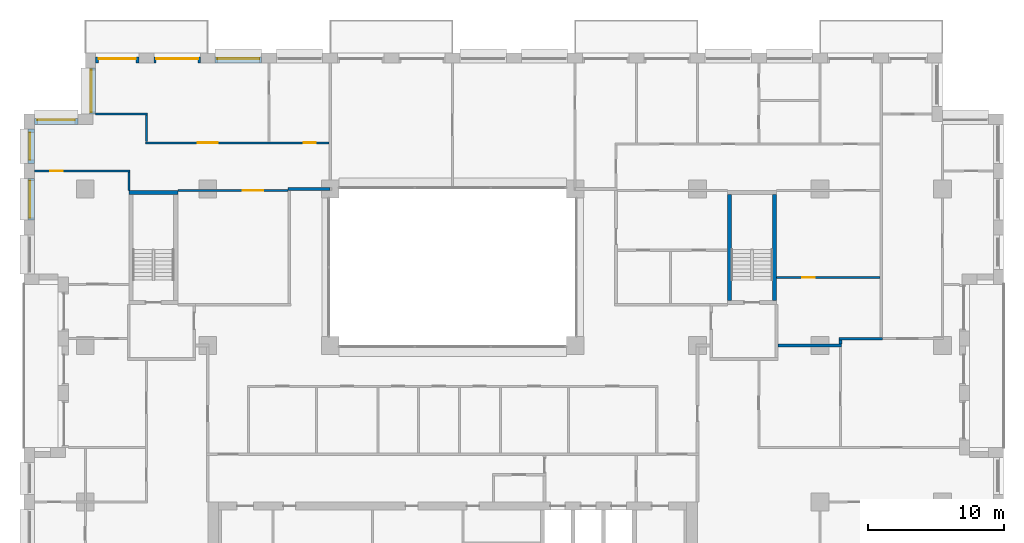
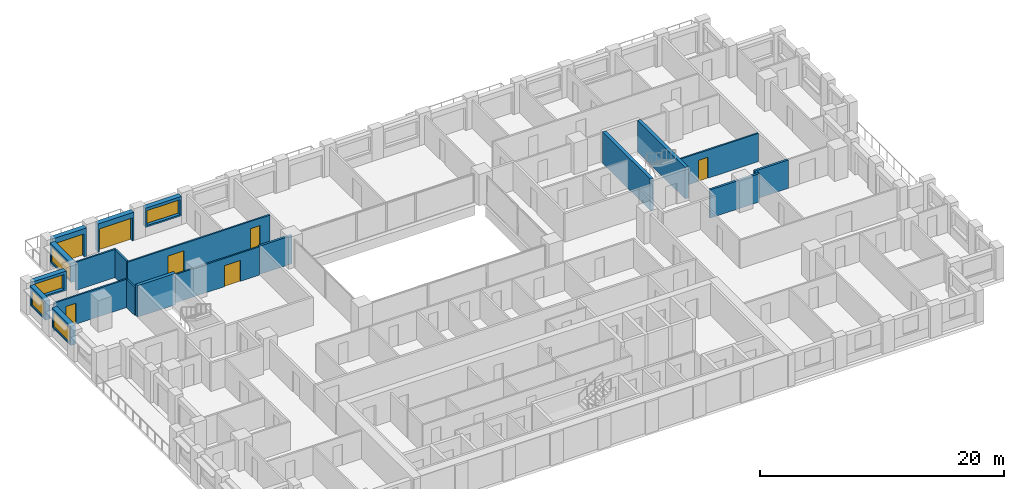
# One storey, part 12 of 16: 21 walls, 7 doors, 5 windows, 12 openings.
"""IFC4 building model written with IfcOpenShell, lengths in metres."""

from ifc_helpers import new_model, si_unit, direction, frame, frame_2d, origin, place, context, subcontext, project, spatial, rectangle, extrude, material, layer, layer_set, type_object, element, fill, save


model = new_model("IFC4")

# Units and contexts
model_context = context("Model", 3, precision=1e-05, world=origin(), true_north=direction((0.0, 1.0)))
body_context = subcontext(model_context, "Body", "Model", "MODEL_VIEW")
ifc_project = project(units=[si_unit("LENGTHUNIT", "METRE"), si_unit("AREAUNIT", "SQUARE_METRE"), si_unit("VOLUMEUNIT", "CUBIC_METRE"), si_unit("PLANEANGLEUNIT", "RADIAN"), si_unit("MASSUNIT", "GRAM", prefix="KILO")], contexts=[model_context])

# Site, building, storey
site_placement = place(None, origin())
site = spatial("IfcSite", under=ifc_project, at=site_placement, CompositionType="ELEMENT")
building_placement = place(site_placement, origin())
building = spatial("IfcBuilding", under=site, at=building_placement, Name="Brigalow Station Residences", CompositionType="ELEMENT")
storey_placement = place(building_placement, frame((0.0, 0.0, 108.75)))
storey = spatial("IfcBuildingStorey", under=building, at=storey_placement, Name="L31", CompositionType="ELEMENT", Elevation=108.75)

# Wall, opening, window
ifc_material_1 = material(Name="Clay brick masonry", Category="masonry")
ifc_layer_1 = layer(ifc_material_1, 0.449951171875)
ifc_layer_set_1 = layer_set([ifc_layer_1], Name="BRICK INFILL WALL 450")
wall_type_1 = type_object("IfcWallType", Name="BRICK INFILL WALL 450", PredefinedType="SOLIDWALL", material=ifc_layer_set_1)
wall_1_placement = place(storey_placement, frame((21.949951171875, 44.97509765625, 0.89990234375), z_axis=(0.0, 0.0, 1.0), x_axis=(-1.0, 0.0, 0.0)))
wall_1 = element("IfcWall", 1, at=wall_1_placement, inside=storey, type_object=wall_type_1, Name="L31/ewall/W-L31-34", PredefinedType="SOLIDWALL", context=body_context, shape_type="SweptSolid", body=[
    extrude(rectangle(XDim=3.39990234375, YDim=0.449951171875, at=frame_2d((1.699951171875, 0.0))), origin(), (0.0, 0.0, 1.0), 1.93017578125),
])
opening_1_placement = place(wall_1_placement, frame((0.14990234375, 0.0, 0.14990234375)))
opening_1 = element("IfcOpeningElement", 2, at=opening_1_placement, cuts=wall_1, Name="Opening WT-8", PredefinedType="OPENING", context=body_context, shape_type="SweptSolid", body=[
    extrude(rectangle(XDim=3.10009765625, YDim=1.5, at=frame_2d((1.550048828125, 0.75))), frame((0.0, 0.23486328125, 0.0), z_axis=(0.0, -1.0, 0.0), x_axis=(1.0, 0.0, 0.0)), (0.0, 0.0, 1.0), 0.469970703125),
])
ifc_material_2 = material(Name="Anodised aluminium frame with double glazing", Category="aluminium")
window_type_1 = type_object("IfcWindowType", Name="WINDOW 3100x1500", PartitioningType="SINGLE_PANEL", PredefinedType="WINDOW", material=ifc_material_2)
window_1_placement = place(opening_1_placement, origin())
window_1 = element("IfcWindow", 3, at=window_1_placement, inside=storey, type_object=window_type_1, Name="L31/window/W-L31-34", OverallHeight=1.5, OverallWidth=3.10009765625, PartitioningType="SINGLE_PANEL", PredefinedType="WINDOW", context=body_context, shape_type="SweptSolid", body=[
    extrude(rectangle(XDim=3.10009765625, YDim=1.5, at=frame_2d((1.550048828125, 0.75))), frame((0.0, -0.06494140625, 0.0), z_axis=(0.0, -1.0, 0.0), x_axis=(1.0, 0.0, 0.0)), (0.0, 0.0, 1.0), 0.06005859375),
])
fill(opening_1, window_1)

# Wall, opening, door
wall_2_placement = place(storey_placement, frame((17.449951171875, 44.97509765625, 0.0), z_axis=(0.0, 0.0, 1.0), x_axis=(-1.0, 0.0, 0.0)))
wall_2 = element("IfcWall", 4, at=wall_2_placement, inside=storey, type_object=wall_type_1, Name="L31/ewall/W-L31-35", PredefinedType="SOLIDWALL", context=body_context, shape_type="SweptSolid", body=[
    extrude(rectangle(XDim=3.39990234375, YDim=0.449951171875, at=frame_2d((1.699951171875, 0.0))), origin(), (0.0, 0.0, 1.0), 2.830078125),
])
opening_2_placement = place(wall_2_placement, frame((0.14990234375, 0.0, 0.0)))
opening_2 = element("IfcOpeningElement", 5, at=opening_2_placement, cuts=wall_2, Name="Opening D-B3100", PredefinedType="OPENING", context=body_context, shape_type="SweptSolid", body=[
    extrude(rectangle(XDim=3.10009765625, YDim=2.300048828125, at=frame_2d((1.550048828125, 1.14990234375))), frame((0.0, 0.23486328125, 0.0), z_axis=(0.0, -1.0, 0.0), x_axis=(1.0, 0.0, 0.0)), (0.0, 0.0, 1.0), 0.469970703125),
])
ifc_material_3 = material(Name="Anodised aluminium frame with double glazing", Category="aluminium")
door_type_1 = type_object("IfcDoorType", Name="BALCONY SLIDING DOOR 3100x2300", OperationType="SLIDING_TO_LEFT", PredefinedType="DOOR", material=ifc_material_3)
door_1_placement = place(opening_2_placement, origin())
door_1 = element("IfcDoor", 6, at=door_1_placement, inside=storey, type_object=door_type_1, Name="L31/balcony-door/W-L31-35", OperationType="SLIDING_TO_LEFT", OverallHeight=2.300048828125, OverallWidth=3.10009765625, PredefinedType="DOOR", context=body_context, shape_type="SweptSolid", body=[
    extrude(rectangle(XDim=3.10009765625, YDim=2.300048828125, at=frame_2d((1.550048828125, 1.14990234375))), frame((0.0, -0.06982421875, 0.0), z_axis=(0.0, -1.0, 0.0), x_axis=(1.0, 0.0, 0.0)), (0.0, 0.0, 1.0), 0.050048828125),
])
fill(opening_2, door_1)

wall_3_placement = place(storey_placement, frame((12.949951171875, 44.97509765625, 0.0), z_axis=(0.0, 0.0, 1.0), x_axis=(-1.0, 0.0, 0.0)))
wall_3 = element("IfcWall", 7, at=wall_3_placement, inside=storey, type_object=wall_type_1, Name="L31/ewall/W-L31-36", PredefinedType="SOLIDWALL", context=body_context, shape_type="SweptSolid", body=[
    extrude(rectangle(XDim=3.199951171875, YDim=0.449951171875, at=frame_2d((1.60009765625, 0.0))), origin(), (0.0, 0.0, 1.0), 2.830078125),
])
opening_3_placement = place(wall_3_placement, frame((0.22509765625, 0.0, 0.0)))
opening_3 = element("IfcOpeningElement", 8, at=opening_3_placement, cuts=wall_3, Name="Opening D-B2750", PredefinedType="OPENING", context=body_context, shape_type="SweptSolid", body=[
    extrude(rectangle(XDim=2.75, YDim=2.300048828125, at=frame_2d((1.375, 1.14990234375))), frame((0.0, 0.23486328125, 0.0), z_axis=(0.0, -1.0, 0.0), x_axis=(1.0, 0.0, 0.0)), (0.0, 0.0, 1.0), 0.469970703125),
])
ifc_material_4 = material(Name="Anodised aluminium frame with double glazing", Category="aluminium")
door_type_2 = type_object("IfcDoorType", Name="BALCONY SLIDING DOOR 2750x2300", OperationType="SLIDING_TO_LEFT", PredefinedType="DOOR", material=ifc_material_4)
door_2_placement = place(opening_3_placement, origin())
door_2 = element("IfcDoor", 9, at=door_2_placement, inside=storey, type_object=door_type_2, Name="L31/balcony-door/W-L31-36", OperationType="SLIDING_TO_LEFT", OverallHeight=2.300048828125, OverallWidth=2.75, PredefinedType="DOOR", context=body_context, shape_type="SweptSolid", body=[
    extrude(rectangle(XDim=2.75, YDim=2.300048828125, at=frame_2d((1.375, 1.14990234375))), frame((0.0, -0.06982421875, 0.0), z_axis=(0.0, -1.0, 0.0), x_axis=(1.0, 0.0, 0.0)), (0.0, 0.0, 1.0), 0.050048828125),
])
fill(opening_3, door_2)

# Wall, opening, window
wall_4_placement = place(storey_placement, frame((9.52490234375, 44.39990234375, 0.89990234375), z_axis=(0.0, 0.0, 1.0), x_axis=(0.0, -1.0, 0.0)))
wall_4 = element("IfcWall", 10, at=wall_4_placement, inside=storey, type_object=wall_type_1, Name="L31/ewall/W-L31-37", PredefinedType="SOLIDWALL", context=body_context, shape_type="SweptSolid", body=[
    extrude(rectangle(XDim=3.39990234375, YDim=0.449951171875, at=frame_2d((1.699951171875, 0.0))), origin(), (0.0, 0.0, 1.0), 1.93017578125),
])
opening_4_placement = place(wall_4_placement, frame((0.14990234375, 0.0, 0.14990234375)))
opening_4 = element("IfcOpeningElement", 11, at=opening_4_placement, cuts=wall_4, Name="Opening WT-8", PredefinedType="OPENING", context=body_context, shape_type="SweptSolid", body=[
    extrude(rectangle(XDim=3.10009765625, YDim=1.5, at=frame_2d((1.550048828125, 0.75))), frame((0.0, 0.23486328125, 0.0), z_axis=(0.0, -1.0, 0.0), x_axis=(1.0, 0.0, 0.0)), (0.0, 0.0, 1.0), 0.469970703125),
])
window_2_placement = place(opening_4_placement, origin())
window_2 = element("IfcWindow", 12, at=window_2_placement, inside=storey, type_object=window_type_1, Name="L31/window/W-L31-37", OverallHeight=1.5, OverallWidth=3.10009765625, PartitioningType="SINGLE_PANEL", PredefinedType="WINDOW", context=body_context, shape_type="SweptSolid", body=[
    extrude(rectangle(XDim=3.10009765625, YDim=1.5, at=frame_2d((1.550048828125, 0.75))), frame((0.0, -0.06494140625, 0.0), z_axis=(0.0, -1.0, 0.0), x_axis=(1.0, 0.0, 0.0)), (0.0, 0.0, 1.0), 0.06005859375),
])
fill(opening_4, window_2)

wall_5_placement = place(storey_placement, frame((8.449951171875, 40.47509765625, 0.89990234375), z_axis=(0.0, 0.0, 1.0), x_axis=(-1.0, 0.0, 0.0)))
wall_5 = element("IfcWall", 13, at=wall_5_placement, inside=storey, type_object=wall_type_1, Name="L31/ewall/W-L31-38", PredefinedType="SOLIDWALL", context=body_context, shape_type="SweptSolid", body=[
    extrude(rectangle(XDim=3.199951171875, YDim=0.449951171875, at=frame_2d((1.60009765625, 0.0))), origin(), (0.0, 0.0, 1.0), 1.93017578125),
])
opening_5_placement = place(wall_5_placement, frame((0.22509765625, 0.0, 0.14990234375)))
opening_5 = element("IfcOpeningElement", 14, at=opening_5_placement, cuts=wall_5, Name="Opening WT-3", PredefinedType="OPENING", context=body_context, shape_type="SweptSolid", body=[
    extrude(rectangle(XDim=2.75, YDim=1.5, at=frame_2d((1.375, 0.75))), frame((0.0, 0.23486328125, 0.0), z_axis=(0.0, -1.0, 0.0), x_axis=(1.0, 0.0, 0.0)), (0.0, 0.0, 1.0), 0.469970703125),
])
ifc_material_5 = material(Name="Anodised aluminium frame with double glazing", Category="aluminium")
window_type_2 = type_object("IfcWindowType", Name="WINDOW 2750x1500", PartitioningType="SINGLE_PANEL", PredefinedType="WINDOW", material=ifc_material_5)
window_3_placement = place(opening_5_placement, origin())
window_3 = element("IfcWindow", 15, at=window_3_placement, inside=storey, type_object=window_type_2, Name="L31/window/W-L31-38", OverallHeight=1.5, OverallWidth=2.75, PartitioningType="SINGLE_PANEL", PredefinedType="WINDOW", context=body_context, shape_type="SweptSolid", body=[
    extrude(rectangle(XDim=2.75, YDim=1.5, at=frame_2d((1.375, 0.75))), frame((0.0, -0.06494140625, 0.0), z_axis=(0.0, -1.0, 0.0), x_axis=(1.0, 0.0, 0.0)), (0.0, 0.0, 1.0), 0.06005859375),
])
fill(opening_5, window_3)

wall_6_placement = place(storey_placement, frame((5.02490234375, 39.89990234375, 0.89990234375), z_axis=(0.0, 0.0, 1.0), x_axis=(0.0, -1.0, 0.0)))
wall_6 = element("IfcWall", 16, at=wall_6_placement, inside=storey, type_object=wall_type_1, Name="L31/ewall/W-L31-39", PredefinedType="SOLIDWALL", context=body_context, shape_type="SweptSolid", body=[
    extrude(rectangle(XDim=2.516845703125, YDim=0.449951171875, at=frame_2d((1.25830078125, 0.0))), origin(), (0.0, 0.0, 1.0), 1.93017578125),
])
opening_6_placement = place(wall_6_placement, frame((0.258544921875, 0.0, 0.14990234375)))
opening_6 = element("IfcOpeningElement", 17, at=opening_6_placement, cuts=wall_6, Name="Opening WT-7", PredefinedType="OPENING", context=body_context, shape_type="SweptSolid", body=[
    extrude(rectangle(XDim=2.0, YDim=1.5, at=frame_2d((1.0, 0.75))), frame((0.0, 0.23486328125, 0.0), z_axis=(0.0, -1.0, 0.0), x_axis=(1.0, 0.0, 0.0)), (0.0, 0.0, 1.0), 0.469970703125),
])
ifc_material_6 = material(Name="Anodised aluminium frame with double glazing", Category="aluminium")
window_type_3 = type_object("IfcWindowType", Name="WINDOW 2000x1500", PartitioningType="SINGLE_PANEL", PredefinedType="WINDOW", material=ifc_material_6)
window_4_placement = place(opening_6_placement, origin())
window_4 = element("IfcWindow", 18, at=window_4_placement, inside=storey, type_object=window_type_3, Name="L31/window/W-L31-39", OverallHeight=1.5, OverallWidth=2.0, PartitioningType="SINGLE_PANEL", PredefinedType="WINDOW", context=body_context, shape_type="SweptSolid", body=[
    extrude(rectangle(XDim=2.0, YDim=1.5, at=frame_2d((1.0, 0.75))), frame((0.0, -0.06494140625, 0.0), z_axis=(0.0, -1.0, 0.0), x_axis=(1.0, 0.0, 0.0)), (0.0, 0.0, 1.0), 0.06005859375),
])
fill(opening_6, window_4)

wall_7_placement = place(storey_placement, frame((5.02490234375, 36.282958984375, 0.89990234375), z_axis=(0.0, 0.0, 1.0), x_axis=(0.0, -1.0, 0.0)))
wall_7 = element("IfcWall", 19, at=wall_7_placement, inside=storey, type_object=wall_type_1, Name="L31/ewall/W-L31-40", PredefinedType="SOLIDWALL", context=body_context, shape_type="SweptSolid", body=[
    extrude(rectangle(XDim=3.06591796875, YDim=0.449951171875, at=frame_2d((1.532958984375, 0.0))), origin(), (0.0, 0.0, 1.0), 1.93017578125),
])
opening_7_placement = place(wall_7_placement, frame((0.157958984375, 0.0, 0.14990234375)))
opening_7 = element("IfcOpeningElement", 20, at=opening_7_placement, cuts=wall_7, Name="Opening WT-3", PredefinedType="OPENING", context=body_context, shape_type="SweptSolid", body=[
    extrude(rectangle(XDim=2.75, YDim=1.5, at=frame_2d((1.375, 0.75))), frame((0.0, 0.23486328125, 0.0), z_axis=(0.0, -1.0, 0.0), x_axis=(1.0, 0.0, 0.0)), (0.0, 0.0, 1.0), 0.469970703125),
])
window_5_placement = place(opening_7_placement, origin())
window_5 = element("IfcWindow", 21, at=window_5_placement, inside=storey, type_object=window_type_2, Name="L31/window/W-L31-40", OverallHeight=1.5, OverallWidth=2.75, PartitioningType="SINGLE_PANEL", PredefinedType="WINDOW", context=body_context, shape_type="SweptSolid", body=[
    extrude(rectangle(XDim=2.75, YDim=1.5, at=frame_2d((1.375, 0.75))), frame((0.0, -0.06494140625, 0.0), z_axis=(0.0, -1.0, 0.0), x_axis=(1.0, 0.0, 0.0)), (0.0, 0.0, 1.0), 0.06005859375),
])
fill(opening_7, window_5)

# Walls
ifc_material_7 = material(Name="Concrete C65", Category="concrete")
ifc_layer_2 = layer(ifc_material_7, 0.300048828125)
ifc_layer_set_2 = layer_set([ifc_layer_2], Name="CORE SHEAR WALL 300 C65")
wall_type_2 = type_object("IfcWallType", Name="CORE SHEAR WALL 300 C65", PredefinedType="SHEAR", material=ifc_layer_set_2)
wall_8_placement = place(storey_placement, frame((12.199951171875, 35.25, 0.0), z_axis=(0.0, 0.0, 1.0), x_axis=(1.0, 0.0, 0.0)))
element("IfcWall", 22, at=wall_8_placement, inside=storey, type_object=wall_type_2, Name="CORE WALL ST-S1-N L31", PredefinedType="SHEAR", context=body_context, shape_type="SweptSolid", body=[
    extrude(rectangle(XDim=3.60009765625, YDim=0.300048828125, at=frame_2d((1.800048828125, 0.0))), origin(), (0.0, 0.0, 1.0), 3.14990234375),
])
for number, where, z_axis, x_axis, name in (
    (23, (56.35009765625, 27.300048828125, 0.0), (0.0, 0.0, 1.0), (0.0, 1.0, 0.0), "CORE WALL ST-S3-W L31"),
    (24, (59.64990234375, 27.300048828125, 0.0), (0.0, 0.0, 1.0), (0.0, 1.0, 0.0), "CORE WALL ST-S3-E L31"),
):
    element("IfcWall", number, at=place(storey_placement, frame(where, z_axis=z_axis, x_axis=x_axis)), inside=storey, type_object=wall_type_2, Name=name, PredefinedType="SHEAR", context=body_context, shape_type="SweptSolid", body=[
        extrude(rectangle(XDim=7.800048828125, YDim=0.300048828125, at=frame_2d((3.89990234375, 0.0))), origin(), (0.0, 0.0, 1.0), 3.14990234375),
    ])

# Wall, opening, door
ifc_material_8 = material(Name="Plasterboard on steel stud partition", Category="steel")
ifc_layer_3 = layer(ifc_material_8, 0.14990234375)
ifc_layer_set_3 = layer_set([ifc_layer_3], Name="FLAT PARTITION 150")
wall_type_3 = type_object("IfcWallType", Name="FLAT PARTITION 150", PredefinedType="PARTITIONING", material=ifc_layer_set_3)
wall_9_placement = place(storey_placement, frame((5.25, 36.8330078125, 0.0), z_axis=(0.0, 0.0, 1.0), x_axis=(1.0, 0.0, 0.0)))
wall_9 = element("IfcWall", 25, at=wall_9_placement, inside=storey, type_object=wall_type_3, Name="PW-2C22", PredefinedType="PARTITIONING", context=body_context, shape_type="SweptSolid", body=[
    extrude(rectangle(XDim=7.02490234375, YDim=0.14990234375, at=frame_2d((3.512451171875, 0.0))), origin(), (0.0, 0.0, 1.0), 2.830078125),
])
opening_8_placement = place(wall_9_placement, frame((1.175048828125, 0.0, 0.0)))
opening_8 = element("IfcOpeningElement", 26, at=opening_8_placement, cuts=wall_9, Name="Opening D-2C12", PredefinedType="OPENING", context=body_context, shape_type="SweptSolid", body=[
    extrude(rectangle(XDim=0.89990234375, YDim=2.10009765625, at=frame_2d((0.449951171875, 1.050048828125))), frame((0.0, 0.0849609375, 0.0), z_axis=(0.0, -1.0, 0.0), x_axis=(1.0, 0.0, 0.0)), (0.0, 0.0, 1.0), 0.169921875),
])
ifc_material_9 = material(Name="Solid-core timber door leaf", Category="wood")
door_type_3 = type_object("IfcDoorType", Name="INTERNAL DOOR 900 x 2100", OperationType="SINGLE_SWING_LEFT", PredefinedType="DOOR", material=ifc_material_9)
door_3_placement = place(opening_8_placement, frame((0.89990234375, 0.0, 0.0), z_axis=(0.0, 0.0, 1.0), x_axis=(-1.0, 0.0, 0.0)))
door_3 = element("IfcDoor", 27, at=door_3_placement, inside=storey, type_object=door_type_3, Name="D-2C12", OperationType="SINGLE_SWING_RIGHT", OverallHeight=2.10009765625, OverallWidth=0.89990234375, PredefinedType="DOOR", context=body_context, shape_type="SweptSolid", body=[
    extrude(rectangle(XDim=0.89990234375, YDim=2.10009765625, at=frame_2d((0.449951171875, 1.050048828125))), frame((0.0, 0.02490234375, 0.0), z_axis=(0.0, -1.0, 0.0), x_axis=(1.0, 0.0, 0.0)), (0.0, 0.0, 1.0), 0.050048828125),
])
fill(opening_8, door_3)

# Wall, openings, doors
wall_10_placement = place(storey_placement, frame((13.425048828125, 38.89990234375, 0.0), z_axis=(0.0, 0.0, 1.0), x_axis=(1.0, 0.0, 0.0)))
wall_10 = element("IfcWall", 28, at=wall_10_placement, inside=storey, type_object=wall_type_3, Name="PW-2C24", PredefinedType="PARTITIONING", context=body_context, shape_type="SweptSolid", body=[
    extrude(rectangle(XDim=13.474853515625, YDim=0.14990234375, at=frame_2d((6.7373046875, 0.0))), origin(), (0.0, 0.0, 1.0), 2.830078125),
])
opening_9_placement = place(wall_10_placement, frame((3.824951171875, 0.0, 0.0)))
opening_9 = element("IfcOpeningElement", 29, at=opening_9_placement, cuts=wall_10, Name="Opening D-2C13", PredefinedType="OPENING", context=body_context, shape_type="SweptSolid", body=[
    extrude(rectangle(XDim=1.5, YDim=2.10009765625, at=frame_2d((0.75, 1.050048828125))), frame((0.0, 0.0849609375, 0.0), z_axis=(0.0, -1.0, 0.0), x_axis=(1.0, 0.0, 0.0)), (0.0, 0.0, 1.0), 0.169921875),
])
opening_10_placement = place(wall_10_placement, frame((11.625, 0.0, 0.0)))
opening_10 = element("IfcOpeningElement", 30, at=opening_10_placement, cuts=wall_10, Name="Opening D-2C15", PredefinedType="OPENING", context=body_context, shape_type="SweptSolid", body=[
    extrude(rectangle(XDim=0.89990234375, YDim=2.10009765625, at=frame_2d((0.449951171875, 1.050048828125))), frame((0.0, 0.0849609375, 0.0), z_axis=(0.0, -1.0, 0.0), x_axis=(1.0, 0.0, 0.0)), (0.0, 0.0, 1.0), 0.169921875),
])
door_4_placement = place(opening_10_placement, origin())
door_4 = element("IfcDoor", 31, at=door_4_placement, inside=storey, type_object=door_type_3, Name="D-2C15", OperationType="SINGLE_SWING_RIGHT", OverallHeight=2.10009765625, OverallWidth=0.89990234375, PredefinedType="DOOR", context=body_context, shape_type="SweptSolid", body=[
    extrude(rectangle(XDim=0.89990234375, YDim=2.10009765625, at=frame_2d((0.449951171875, 1.050048828125))), frame((0.0, 0.02490234375, 0.0), z_axis=(0.0, -1.0, 0.0), x_axis=(1.0, 0.0, 0.0)), (0.0, 0.0, 1.0), 0.050048828125),
])
fill(opening_10, door_4)
ifc_material_10 = material(Name="Solid-core timber door leaf", Category="wood")
door_type_4 = type_object("IfcDoorType", Name="INTERNAL DOUBLE DOOR 1500 x 2100", OperationType="DOUBLE_DOOR_SINGLE_SWING", PredefinedType="DOOR", material=ifc_material_10)
door_5_placement = place(opening_9_placement, origin())
door_5 = element("IfcDoor", 32, at=door_5_placement, inside=storey, type_object=door_type_4, Name="D-2C13", OperationType="DOUBLE_DOOR_SINGLE_SWING", OverallHeight=2.10009765625, OverallWidth=1.5, PredefinedType="DOOR", context=body_context, shape_type="SweptSolid", body=[
    extrude(rectangle(XDim=1.5, YDim=2.10009765625, at=frame_2d((0.75, 1.050048828125))), frame((0.0, 0.02490234375, 0.0), z_axis=(0.0, -1.0, 0.0), x_axis=(1.0, 0.0, 0.0)), (0.0, 0.0, 1.0), 0.050048828125),
])
fill(opening_9, door_5)

# Wall, opening, door
wall_11_placement = place(storey_placement, frame((15.800048828125, 35.39990234375, 0.0), z_axis=(0.0, 0.0, 1.0), x_axis=(1.0, 0.0, 0.0)))
wall_11 = element("IfcWall", 33, at=wall_11_placement, inside=storey, type_object=wall_type_3, Name="PW-2C25", PredefinedType="PARTITIONING", context=body_context, shape_type="SweptSolid", body=[
    extrude(rectangle(XDim=8.099853515625, YDim=0.14990234375, at=frame_2d((4.0498046875, 0.0))), origin(), (0.0, 0.0, 1.0), 2.830078125),
])
opening_11_placement = place(wall_11_placement, frame((4.77490234375, 0.0, 0.0)))
opening_11 = element("IfcOpeningElement", 34, at=opening_11_placement, cuts=wall_11, Name="Opening D-2C16", PredefinedType="OPENING", context=body_context, shape_type="SweptSolid", body=[
    extrude(rectangle(XDim=1.5, YDim=2.10009765625, at=frame_2d((0.75, 1.050048828125))), frame((0.0, 0.0849609375, 0.0), z_axis=(0.0, -1.0, 0.0), x_axis=(1.0, 0.0, 0.0)), (0.0, 0.0, 1.0), 0.169921875),
])
door_6_placement = place(opening_11_placement, frame((1.5, 0.0, 0.0), z_axis=(0.0, 0.0, 1.0), x_axis=(-1.0, 0.0, 0.0)))
door_6 = element("IfcDoor", 35, at=door_6_placement, inside=storey, type_object=door_type_4, Name="D-2C16", OperationType="DOUBLE_DOOR_SINGLE_SWING", OverallHeight=2.10009765625, OverallWidth=1.5, PredefinedType="DOOR", context=body_context, shape_type="SweptSolid", body=[
    extrude(rectangle(XDim=1.5, YDim=2.10009765625, at=frame_2d((0.75, 1.050048828125))), frame((0.0, 0.02490234375, 0.0), z_axis=(0.0, -1.0, 0.0), x_axis=(1.0, 0.0, 0.0)), (0.0, 0.0, 1.0), 0.050048828125),
])
fill(opening_11, door_6)

# Wall
wall_12_placement = place(storey_placement, frame((9.75, 41.0, 0.0), z_axis=(0.0, 0.0, 1.0), x_axis=(1.0, 0.0, 0.0)))
element("IfcWall", 36, at=wall_12_placement, inside=storey, type_object=wall_type_3, Name="PW-2C28", PredefinedType="PARTITIONING", context=body_context, shape_type="SweptSolid", body=[
    extrude(rectangle(XDim=3.824951171875, YDim=0.14990234375, at=frame_2d((1.91259765625, 0.0))), origin(), (0.0, 0.0, 1.0), 2.830078125),
])

# Wall, opening, door
wall_13_placement = place(storey_placement, frame((59.800048828125, 29.0, 0.0), z_axis=(0.0, 0.0, 1.0), x_axis=(1.0, 0.0, 0.0)))
wall_13 = element("IfcWall", 37, at=wall_13_placement, inside=storey, type_object=wall_type_3, Name="PW-2C33", PredefinedType="PARTITIONING", context=body_context, shape_type="SweptSolid", body=[
    extrude(rectangle(XDim=7.599853515625, YDim=0.14990234375, at=frame_2d((3.7998046875, 0.0))), origin(), (0.0, 0.0, 1.0), 2.830078125),
])
opening_12_placement = place(wall_13_placement, frame((1.89990234375, 0.0, 0.0)))
opening_12 = element("IfcOpeningElement", 38, at=opening_12_placement, cuts=wall_13, Name="Opening D-2C30", PredefinedType="OPENING", context=body_context, shape_type="SweptSolid", body=[
    extrude(rectangle(XDim=0.89990234375, YDim=2.10009765625, at=frame_2d((0.449951171875, 1.050048828125))), frame((0.0, 0.0849609375, 0.0), z_axis=(0.0, -1.0, 0.0), x_axis=(1.0, 0.0, 0.0)), (0.0, 0.0, 1.0), 0.169921875),
])
door_7_placement = place(opening_12_placement, frame((0.89990234375, 0.0, 0.0), z_axis=(0.0, 0.0, 1.0), x_axis=(-1.0, 0.0, 0.0)))
door_7 = element("IfcDoor", 39, at=door_7_placement, inside=storey, type_object=door_type_3, Name="D-2C30", OperationType="SINGLE_SWING_RIGHT", OverallHeight=2.10009765625, OverallWidth=0.89990234375, PredefinedType="DOOR", context=body_context, shape_type="SweptSolid", body=[
    extrude(rectangle(XDim=0.89990234375, YDim=2.10009765625, at=frame_2d((0.449951171875, 1.050048828125))), frame((0.0, 0.02490234375, 0.0), z_axis=(0.0, -1.0, 0.0), x_axis=(1.0, 0.0, 0.0)), (0.0, 0.0, 1.0), 0.050048828125),
])
fill(opening_12, door_7)

# Walls
wall_14_placement = place(storey_placement, frame((13.5, 38.97509765625, 0.0), z_axis=(0.0, 0.0, 1.0), x_axis=(0.0, 1.0, 0.0)))
element("IfcWall", 40, at=wall_14_placement, inside=storey, type_object=wall_type_3, Name="PW-2C48", PredefinedType="PARTITIONING", context=body_context, shape_type="SweptSolid", body=[
    extrude(rectangle(XDim=1.949951171875, YDim=0.14990234375, at=frame_2d((0.97509765625, 0.0))), origin(), (0.0, 0.0, 1.0), 2.830078125),
])
wall_15_placement = place(storey_placement, frame((12.199951171875, 35.39990234375, 0.0), z_axis=(0.0, 0.0, 1.0), x_axis=(0.0, 1.0, 0.0)))
element("IfcWall", 41, at=wall_15_placement, inside=storey, type_object=wall_type_3, Name="PW-2C49", PredefinedType="PARTITIONING", context=body_context, shape_type="SweptSolid", body=[
    extrude(rectangle(XDim=1.358154296875, YDim=0.14990234375, at=frame_2d((0.67919921875, 0.0))), origin(), (0.0, 0.0, 1.0), 2.830078125),
])
ifc_material_11 = material(Name="Plasterboard on steel stud partition", Category="steel")
ifc_layer_4 = layer(ifc_material_11, 0.199951171875)
ifc_layer_set_4 = layer_set([ifc_layer_4], Name="PARTY AND CORRIDOR WALL 200")
wall_type_4 = type_object("IfcWallType", Name="PARTY AND CORRIDOR WALL 200", PredefinedType="PARTITIONING", material=ifc_layer_set_4)
wall_16_placement = place(storey_placement, frame((59.89990234375, 24.0, 0.0), z_axis=(0.0, 0.0, 1.0), x_axis=(1.0, 0.0, 0.0)))
element("IfcWall", 42, at=wall_16_placement, inside=storey, type_object=wall_type_4, Name="PW-2C04", PredefinedType="PARTITIONING", context=body_context, shape_type="SweptSolid", body=[
    extrude(rectangle(XDim=4.675048828125, YDim=0.199951171875, at=frame_2d((2.33740234375, 0.0))), origin(), (0.0, 0.0, 1.0), 2.830078125),
])
wall_17_placement = place(storey_placement, frame((23.89990234375, 35.5, 0.0), z_axis=(0.0, 0.0, 1.0), x_axis=(1.0, 0.0, 0.0)))
element("IfcWall", 43, at=wall_17_placement, inside=storey, type_object=wall_type_4, Name="PW-2C07", PredefinedType="PARTITIONING", context=body_context, shape_type="SweptSolid", body=[
    extrude(rectangle(XDim=3.10009765625, YDim=0.199951171875, at=frame_2d((1.550048828125, 0.0))), origin(), (0.0, 0.0, 1.0), 2.830078125),
])
wall_18_placement = place(storey_placement, frame((64.39990234375, 24.5, 0.0), z_axis=(0.0, 0.0, 1.0), x_axis=(1.0, 0.0, 0.0)))
element("IfcWall", 44, at=wall_18_placement, inside=storey, type_object=wall_type_4, Name="PW-2C19", PredefinedType="PARTITIONING", context=body_context, shape_type="SweptSolid", body=[
    extrude(rectangle(XDim=3.2001953125, YDim=0.199951171875, at=frame_2d((1.60009765625, 0.0))), origin(), (0.0, 0.0, 1.0), 2.830078125),
])
wall_19_placement = place(storey_placement, frame((64.5, 24.10009765625, 0.0), z_axis=(0.0, 0.0, 1.0), x_axis=(0.0, 1.0, 0.0)))
element("IfcWall", 45, at=wall_19_placement, inside=storey, type_object=wall_type_4, Name="PW-2C64", PredefinedType="PARTITIONING", context=body_context, shape_type="SweptSolid", body=[
    extrude(rectangle(XDim=0.2998046875, YDim=0.199951171875, at=frame_2d((0.14990234375, 0.0))), origin(), (0.0, 0.0, 1.0), 2.830078125),
])

save(model, "model.ifc")
